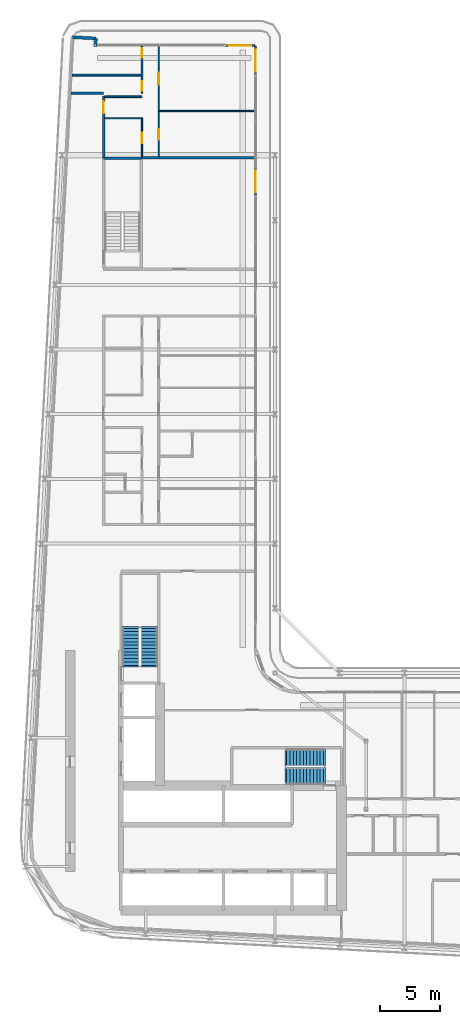
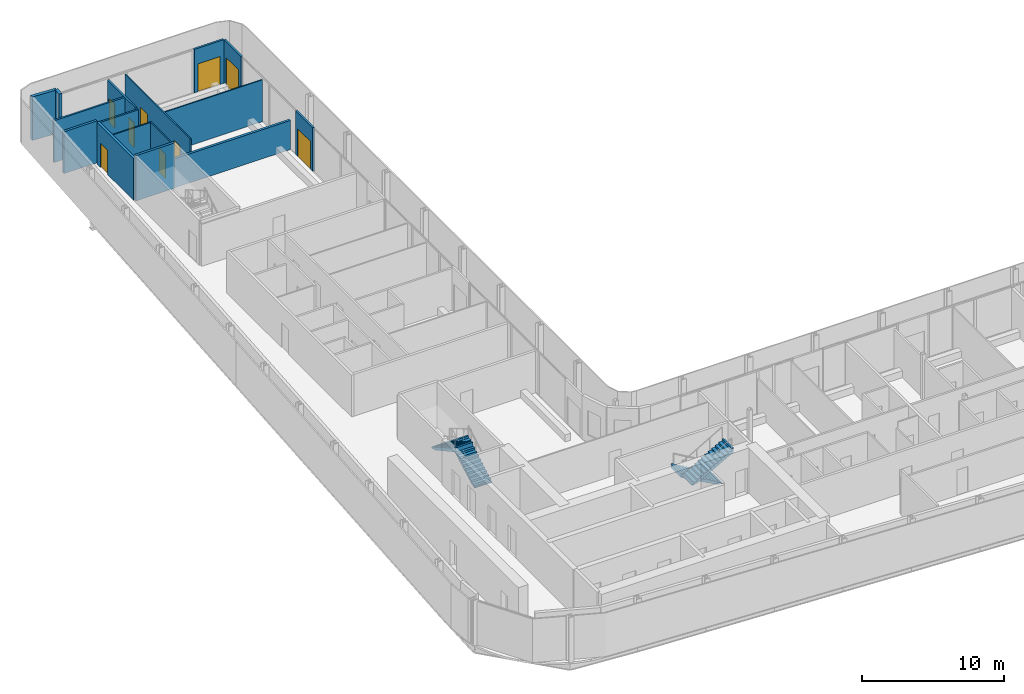
# One storey, part 20 of 28: 16 walls, 9 doors, 4 stair flights, 9 openings, 2 elements without a shape of their own.
"""IFC4 building model written with IfcOpenShell, lengths in metres."""

from ifc_helpers import new_model, si_unit, direction, frame, frame_2d, origin, place, context, subcontext, project, spatial, polyline, rectangle, outline, extrude, source, transform, mapped, material, layer, layer_set, type_object, element, fill, aggregate, save


model = new_model("IFC4")

# Units and contexts
model_context = context("Model", 3, precision=1e-05, world=origin(), true_north=direction((0.0, 1.0)))
body_context = subcontext(model_context, "Body", "Model", "MODEL_VIEW")
ifc_project = project(units=[si_unit("LENGTHUNIT", "METRE"), si_unit("AREAUNIT", "SQUARE_METRE"), si_unit("VOLUMEUNIT", "CUBIC_METRE"), si_unit("PLANEANGLEUNIT", "RADIAN"), si_unit("MASSUNIT", "GRAM", prefix="KILO")], contexts=[model_context])

# Site, building, storey
site_placement = place(None, origin())
site = spatial("IfcSite", under=ifc_project, at=site_placement, CompositionType="ELEMENT")
building_placement = place(site_placement, origin())
building = spatial("IfcBuilding", under=site, at=building_placement, Name="Kheshtan School and Residences Tower", CompositionType="ELEMENT")
storey_placement = place(building_placement, frame((0.0, 0.0, 187.699951171875)))
storey = spatial("IfcBuildingStorey", under=building, at=storey_placement, Name="L44", CompositionType="ELEMENT", Elevation=187.699951171875)

# Wall
ifc_material_1 = material(Name="Gypsum board on steel studs with fire boards", Category="steel")
ifc_layer_1 = layer(ifc_material_1, 0.199951171875)
ifc_layer_set_1 = layer_set([ifc_layer_1], Name="Corridor wall 200")
wall_type_1 = type_object("IfcWallType", Name="Corridor wall 200", PredefinedType="PARTITIONING", material=ifc_layer_set_1)
wall_1_placement = place(storey_placement, frame((30.584716796875, 94.0, 0.0), z_axis=(0.0, 0.0, 1.0), x_axis=(1.0, 0.0, 0.0)))
element("IfcWall", 1, at=wall_1_placement, inside=storey, type_object=wall_type_1, Name="Partition L44-002", PredefinedType="PARTITIONING", context=body_context, shape_type="SweptSolid", body=[
    extrude(rectangle(XDim=2.71533203125, YDim=0.199951171875, at=frame_2d((1.357666015625, 0.0))), origin(), (0.0, 0.0, 1.0), 3.60009765625),
])

# Wall, opening, door
wall_2_placement = place(storey_placement, frame((33.300048828125, 88.60009765625, 0.0), z_axis=(0.0, 0.0, 1.0), x_axis=(0.0, 1.0, 0.0)))
wall_2 = element("IfcWall", 2, at=wall_2_placement, inside=storey, type_object=wall_type_1, Name="Partition L44-005", PredefinedType="PARTITIONING", context=body_context, shape_type="SweptSolid", body=[
    extrude(rectangle(XDim=5.1748046875, YDim=0.199951171875, at=frame_2d((2.58740234375, 0.0))), origin(), (0.0, 0.0, 1.0), 3.60009765625),
])
opening_1_placement = place(wall_2_placement, frame((3.699951171875, 0.0, 0.0)))
opening_1 = element("IfcOpeningElement", 3, at=opening_1_placement, cuts=wall_2, Name="Opening D43-049", PredefinedType="OPENING", context=body_context, shape_type="SweptSolid", body=[
    extrude(rectangle(XDim=1.0, YDim=2.10009765625, at=frame_2d((0.5, 1.050048828125))), frame((0.0, 0.10986328125, 0.0), z_axis=(0.0, -1.0, 0.0), x_axis=(1.0, 0.0, 0.0)), (0.0, 0.0, 1.0), 0.219970703125),
])
ifc_material_2 = material(Name="Steel-framed fire-resisting door leaf", Category="steel")
door_type_1 = type_object("IfcDoorType", Name="Fire door FD30S 1000 x 2100", OperationType="SINGLE_SWING_LEFT", PredefinedType="DOOR", material=ifc_material_2)
shared_shape_1 = source(origin(), body_context, "Body", "SweptSolid", [
    extrude(rectangle(XDim=1.0, YDim=2.10009765625, at=frame_2d((0.5, 1.050048828125))), frame((0.0, 0.02490234375, 0.0), z_axis=(0.0, -1.0, 0.0), x_axis=(1.0, 0.0, 0.0)), (0.0, 0.0, 1.0), 0.050048828125),
])
door_1_placement = place(opening_1_placement, origin())
door_1 = element("IfcDoor", 4, at=door_1_placement, inside=storey, type_object=door_type_1, Name="Door D43-049", OperationType="SINGLE_SWING_RIGHT", OverallHeight=2.10009765625, OverallWidth=1.0, PredefinedType="DOOR", context=body_context, shape_type="MappedRepresentation", body=[
    mapped(shared_shape_1, transform((0.0, 0.0, 0.0), x_axis=(1.0, 0.0, 0.0), y_axis=(0.0, 1.0, 0.0), z_axis=(0.0, 0.0, 1.0), scale=1.0)),
])
fill(opening_1, door_1)

# Walls
ifc_material_3 = material(Name="Concrete C40/50 with ceramic cladding and mineral wool insulation", Category="concrete")
ifc_layer_2 = layer(ifc_material_3, 0.25)
ifc_layer_set_2 = layer_set([ifc_layer_2], Name="External wall 250 ceramic clad")
wall_type_2 = type_object("IfcWallType", Name="External wall 250 ceramic clad", PredefinedType="SOLIDWALL", material=ifc_layer_set_2)
wall_3_placement = place(storey_placement, frame((30.705078125, 98.6640625, 0.0), z_axis=(0.0, 0.0, 1.0), x_axis=(0.998577785791, -0.053314216913, 0.0)))
element("IfcWall", 5, at=wall_3_placement, inside=storey, type_object=wall_type_2, Name="External wall L44 5", PredefinedType="SOLIDWALL", context=body_context, shape_type="SweptSolid", body=[
    extrude(rectangle(XDim=1.95068359375, YDim=0.25, at=frame_2d((0.975341796875, 0.0))), origin(), (0.0, 0.0, 1.0), 3.75),
])
wall_4_placement = place(storey_placement, frame((32.653076171875, 98.56005859375, 0.0), z_axis=(0.0, 0.0, 1.0), x_axis=(-0.054093451632, -0.998535877418, 0.0)))
element("IfcWall", 6, at=wall_4_placement, inside=storey, type_object=wall_type_2, Name="External wall L44 6", PredefinedType="SOLIDWALL", context=body_context, shape_type="SweptSolid", body=[
    extrude(rectangle(XDim=0.66796875, YDim=0.25, at=frame_2d((0.333984375, 0.0))), origin(), (0.0, 0.0, 1.0), 3.75),
])

# Wall, opening, door
ifc_material_4 = material(Name="Aluminium frame wall with insulated infill", Category="aluminium")
ifc_layer_3 = layer(ifc_material_4, 0.14990234375)
ifc_layer_set_3 = layer_set([ifc_layer_3], Name="Glazing frame wall 150")
wall_type_3 = type_object("IfcWallType", Name="Glazing frame wall 150", PredefinedType="SOLIDWALL", material=ifc_layer_set_3)
wall_5_placement = place(storey_placement, frame((43.5, 97.97509765625, 0.0), z_axis=(0.0, 0.0, 1.0), x_axis=(1.0, 0.0, 0.0)))
wall_5 = element("IfcWall", 7, at=wall_5_placement, inside=storey, type_object=wall_type_3, Name="Balcony door wall L44 7.1", PredefinedType="SOLIDWALL", context=body_context, shape_type="SweptSolid", body=[
    extrude(rectangle(XDim=2.39990234375, YDim=0.14990234375, at=frame_2d((1.199951171875, 0.0))), origin(), (0.0, 0.0, 1.0), 3.75),
])
opening_2_placement = place(wall_5_placement, frame((0.300048828125, 0.0, 0.0)))
opening_2 = element("IfcOpeningElement", 8, at=opening_2_placement, cuts=wall_5, Name="Opening BD", PredefinedType="OPENING", context=body_context, shape_type="SweptSolid", body=[
    extrude(rectangle(XDim=1.800048828125, YDim=2.39990234375, at=frame_2d((0.89990234375, 1.199951171875))), frame((0.0, 0.0849609375, 0.0), z_axis=(0.0, -1.0, 0.0), x_axis=(1.0, 0.0, 0.0)), (0.0, 0.0, 1.0), 0.169921875),
])
ifc_material_5 = material(Name="Clear low-e glass in thermally broken aluminium frame", Category="aluminium")
door_type_2 = type_object("IfcDoorType", Name="Balcony sliding door", OperationType="SLIDING_TO_LEFT", PredefinedType="DOOR", material=ifc_material_5)
shared_shape_2 = source(origin(), body_context, "Body", "SweptSolid", [
    extrude(rectangle(XDim=1.800048828125, YDim=2.39990234375, at=frame_2d((0.89990234375, 1.199951171875))), frame((0.0, 0.02490234375, 0.0), z_axis=(0.0, -1.0, 0.0), x_axis=(1.0, 0.0, 0.0)), (0.0, 0.0, 1.0), 0.050048828125),
])
door_2_placement = place(opening_2_placement, origin())
door_2 = element("IfcDoor", 9, at=door_2_placement, inside=storey, type_object=door_type_2, Name="Balcony door L44 7.1", OperationType="SLIDING_TO_LEFT", OverallHeight=2.39990234375, OverallWidth=1.800048828125, PredefinedType="DOOR", context=body_context, shape_type="MappedRepresentation", body=[
    mapped(shared_shape_2, transform((0.0, 0.0, 0.0), x_axis=(1.0, 0.0, 0.0), y_axis=(0.0, 1.0, 0.0), z_axis=(0.0, 0.0, 1.0), scale=1.0)),
])
fill(opening_2, door_2)

wall_6_placement = place(storey_placement, frame((45.97509765625, 97.89990234375, 0.0), z_axis=(0.0, 0.0, 1.0), x_axis=(0.0, -1.0, 0.0)))
wall_6 = element("IfcWall", 10, at=wall_6_placement, inside=storey, type_object=wall_type_3, Name="Balcony door wall L44 8.1", PredefinedType="SOLIDWALL", context=body_context, shape_type="SweptSolid", body=[
    extrude(rectangle(XDim=2.39990234375, YDim=0.14990234375, at=frame_2d((1.199951171875, 0.0))), origin(), (0.0, 0.0, 1.0), 3.75),
])
opening_3_placement = place(wall_6_placement, frame((0.300048828125, 0.0, 0.0)))
opening_3 = element("IfcOpeningElement", 11, at=opening_3_placement, cuts=wall_6, Name="Opening BD", PredefinedType="OPENING", context=body_context, shape_type="SweptSolid", body=[
    extrude(rectangle(XDim=1.800048828125, YDim=2.39990234375, at=frame_2d((0.89990234375, 1.199951171875))), frame((0.0, 0.0849609375, 0.0), z_axis=(0.0, -1.0, 0.0), x_axis=(1.0, 0.0, 0.0)), (0.0, 0.0, 1.0), 0.169921875),
])
door_3_placement = place(opening_3_placement, origin())
door_3 = element("IfcDoor", 12, at=door_3_placement, inside=storey, type_object=door_type_2, Name="Balcony door L44 8.1", OperationType="SLIDING_TO_LEFT", OverallHeight=2.39990234375, OverallWidth=1.800048828125, PredefinedType="DOOR", context=body_context, shape_type="MappedRepresentation", body=[
    mapped(shared_shape_2, transform((0.0, 0.0, 0.0), x_axis=(1.0, 0.0, 0.0), y_axis=(0.0, 1.0, 0.0), z_axis=(0.0, 0.0, 1.0), scale=1.0)),
])
fill(opening_3, door_3)

wall_7_placement = place(storey_placement, frame((45.97509765625, 87.805908203125, 0.0), z_axis=(0.0, 0.0, 1.0), x_axis=(0.0, -1.0, 0.0)))
wall_7 = element("IfcWall", 13, at=wall_7_placement, inside=storey, type_object=wall_type_3, Name="Balcony door wall L44 8.2", PredefinedType="SOLIDWALL", context=body_context, shape_type="SweptSolid", body=[
    extrude(rectangle(XDim=2.39990234375, YDim=0.14990234375, at=frame_2d((1.199951171875, 0.0))), origin(), (0.0, 0.0, 1.0), 3.75),
])
opening_4_placement = place(wall_7_placement, frame((0.300048828125, 0.0, 0.0)))
opening_4 = element("IfcOpeningElement", 14, at=opening_4_placement, cuts=wall_7, Name="Opening BD", PredefinedType="OPENING", context=body_context, shape_type="SweptSolid", body=[
    extrude(rectangle(XDim=1.800048828125, YDim=2.39990234375, at=frame_2d((0.89990234375, 1.199951171875))), frame((0.0, 0.0849609375, 0.0), z_axis=(0.0, -1.0, 0.0), x_axis=(1.0, 0.0, 0.0)), (0.0, 0.0, 1.0), 0.169921875),
])
door_4_placement = place(opening_4_placement, origin())
door_4 = element("IfcDoor", 15, at=door_4_placement, inside=storey, type_object=door_type_2, Name="Balcony door L44 8.2", OperationType="SLIDING_TO_LEFT", OverallHeight=2.39990234375, OverallWidth=1.800048828125, PredefinedType="DOOR", context=body_context, shape_type="MappedRepresentation", body=[
    mapped(shared_shape_2, transform((0.0, 0.0, 0.0), x_axis=(1.0, 0.0, 0.0), y_axis=(0.0, 1.0, 0.0), z_axis=(0.0, 0.0, 1.0), scale=1.0)),
])
fill(opening_4, door_4)

# Wall
ifc_material_6 = material(Name="Gypsum board on steel studs", Category="steel")
ifc_layer_4 = layer(ifc_material_6, 0.10009765625)
ifc_layer_set_4 = layer_set([ifc_layer_4], Name="Gypsum partition 100")
wall_type_4 = type_object("IfcWallType", Name="Gypsum partition 100", PredefinedType="PARTITIONING", material=ifc_layer_set_4)
wall_8_placement = place(storey_placement, frame((33.39990234375, 91.89990234375, 0.0), z_axis=(0.0, 0.0, 1.0), x_axis=(1.0, 0.0, 0.0)))
element("IfcWall", 16, at=wall_8_placement, inside=storey, type_object=wall_type_4, Name="Partition L44-014", PredefinedType="PARTITIONING", context=body_context, shape_type="SweptSolid", body=[
    extrude(rectangle(XDim=3.050048828125, YDim=0.10009765625, at=frame_2d((1.52490234375, 0.0))), origin(), (0.0, 0.0, 1.0), 3.60009765625),
])

# Wall, opening, door
wall_9_placement = place(storey_placement, frame((36.5, 88.699951171875, 0.0), z_axis=(0.0, 0.0, 1.0), x_axis=(0.0, 1.0, 0.0)))
wall_9 = element("IfcWall", 17, at=wall_9_placement, inside=storey, type_object=wall_type_4, Name="Partition L44-021", PredefinedType="PARTITIONING", context=body_context, shape_type="SweptSolid", body=[
    extrude(rectangle(XDim=3.25, YDim=0.10009765625, at=frame_2d((1.625, 0.0))), origin(), (0.0, 0.0, 1.0), 3.60009765625),
])
opening_5_placement = place(wall_9_placement, frame((1.10009765625, 0.0, 0.0)))
opening_5 = element("IfcOpeningElement", 18, at=opening_5_placement, cuts=wall_9, Name="Opening D43-050", PredefinedType="OPENING", context=body_context, shape_type="SweptSolid", body=[
    extrude(rectangle(XDim=0.89990234375, YDim=2.10009765625, at=frame_2d((0.449951171875, 1.050048828125))), frame((0.0, 0.06005859375, 0.0), z_axis=(0.0, -1.0, 0.0), x_axis=(1.0, 0.0, 0.0)), (0.0, 0.0, 1.0), 0.1201171875),
])
ifc_material_7 = material(Name="Veneered timber door leaf", Category="wood")
door_type_3 = type_object("IfcDoorType", Name="Door 900 x 2100", OperationType="SINGLE_SWING_LEFT", PredefinedType="DOOR", material=ifc_material_7)
shared_shape_3 = source(origin(), body_context, "Body", "SweptSolid", [
    extrude(rectangle(XDim=0.89990234375, YDim=2.10009765625, at=frame_2d((0.449951171875, 1.050048828125))), frame((0.0, 0.02490234375, 0.0), z_axis=(0.0, -1.0, 0.0), x_axis=(1.0, 0.0, 0.0)), (0.0, 0.0, 1.0), 0.050048828125),
])
door_5_placement = place(opening_5_placement, origin())
door_5 = element("IfcDoor", 19, at=door_5_placement, inside=storey, type_object=door_type_3, Name="Door D43-050", OperationType="SINGLE_SWING_LEFT", OverallHeight=2.10009765625, OverallWidth=0.89990234375, PredefinedType="DOOR", context=body_context, shape_type="MappedRepresentation", body=[
    mapped(shared_shape_3, transform((0.0, 0.0, 0.0), x_axis=(1.0, 0.0, 0.0), y_axis=(0.0, 1.0, 0.0), z_axis=(0.0, 0.0, 1.0), scale=1.0)),
])
fill(opening_5, door_5)

# Wall, openings, doors
wall_10_placement = place(storey_placement, frame((37.89990234375, 88.699951171875, 0.0), z_axis=(0.0, 0.0, 1.0), x_axis=(0.0, 1.0, 0.0)))
wall_10 = element("IfcWall", 20, at=wall_10_placement, inside=storey, type_object=wall_type_4, Name="Partition L44-024", PredefinedType="PARTITIONING", context=body_context, shape_type="SweptSolid", body=[
    extrude(rectangle(XDim=9.199951171875, YDim=0.10009765625, at=frame_2d((4.60009765625, 0.0))), origin(), (0.0, 0.0, 1.0), 3.60009765625),
])
opening_6_placement = place(wall_10_placement, frame((1.39990234375, 0.0, 0.0)))
opening_6 = element("IfcOpeningElement", 21, at=opening_6_placement, cuts=wall_10, Name="Opening D43-048", PredefinedType="OPENING", context=body_context, shape_type="SweptSolid", body=[
    extrude(rectangle(XDim=0.89990234375, YDim=2.10009765625, at=frame_2d((0.449951171875, 1.050048828125))), frame((0.0, 0.06005859375, 0.0), z_axis=(0.0, -1.0, 0.0), x_axis=(1.0, 0.0, 0.0)), (0.0, 0.0, 1.0), 0.1201171875),
])
opening_7_placement = place(wall_10_placement, frame((6.0, 0.0, 0.0)))
opening_7 = element("IfcOpeningElement", 22, at=opening_7_placement, cuts=wall_10, Name="Opening D43-051", PredefinedType="OPENING", context=body_context, shape_type="SweptSolid", body=[
    extrude(rectangle(XDim=1.0, YDim=2.10009765625, at=frame_2d((0.5, 1.050048828125))), frame((0.0, 0.06005859375, 0.0), z_axis=(0.0, -1.0, 0.0), x_axis=(1.0, 0.0, 0.0)), (0.0, 0.0, 1.0), 0.1201171875),
])
door_type_4 = type_object("IfcDoorType", Name="Door 1000 x 2100", OperationType="SINGLE_SWING_LEFT", PredefinedType="DOOR", material=ifc_material_7)
shared_shape_4 = source(origin(), body_context, "Body", "SweptSolid", [
    extrude(rectangle(XDim=1.0, YDim=2.10009765625, at=frame_2d((0.5, 1.050048828125))), frame((0.0, 0.02490234375, 0.0), z_axis=(0.0, -1.0, 0.0), x_axis=(1.0, 0.0, 0.0)), (0.0, 0.0, 1.0), 0.050048828125),
])
door_6_placement = place(opening_7_placement, origin())
door_6 = element("IfcDoor", 23, at=door_6_placement, inside=storey, type_object=door_type_4, Name="Door D43-051", OperationType="SINGLE_SWING_RIGHT", OverallHeight=2.10009765625, OverallWidth=1.0, PredefinedType="DOOR", context=body_context, shape_type="MappedRepresentation", body=[
    mapped(shared_shape_4, transform((0.0, 0.0, 0.0), x_axis=(1.0, 0.0, 0.0), y_axis=(0.0, 1.0, 0.0), z_axis=(0.0, 0.0, 1.0), scale=1.0)),
])
fill(opening_7, door_6)
door_7_placement = place(opening_6_placement, origin())
door_7 = element("IfcDoor", 24, at=door_7_placement, inside=storey, type_object=door_type_3, Name="Door D43-048", OperationType="SINGLE_SWING_LEFT", OverallHeight=2.10009765625, OverallWidth=0.89990234375, PredefinedType="DOOR", context=body_context, shape_type="MappedRepresentation", body=[
    mapped(shared_shape_3, transform((0.0, 0.0, 0.0), x_axis=(1.0, 0.0, 0.0), y_axis=(0.0, 1.0, 0.0), z_axis=(0.0, 0.0, 1.0), scale=1.0)),
])
fill(opening_6, door_7)

# Walls
wall_11_placement = place(storey_placement, frame((37.949951171875, 92.5, 0.0), z_axis=(0.0, 0.0, 1.0), x_axis=(1.0, 0.0, 0.0)))
element("IfcWall", 25, at=wall_11_placement, inside=storey, type_object=wall_type_4, Name="Partition L44-025", PredefinedType="PARTITIONING", context=body_context, shape_type="SweptSolid", body=[
    extrude(rectangle(XDim=7.949951171875, YDim=0.10009765625, at=frame_2d((3.97509765625, 0.0))), origin(), (0.0, 0.0, 1.0), 3.60009765625),
])
ifc_material_8 = material(Name="Concrete C40/50", Category="concrete")
ifc_layer_5 = layer(ifc_material_8, 0.199951171875)
ifc_layer_set_5 = layer_set([ifc_layer_5], Name="Stair enclosure wall 200 Concrete C40/50")
wall_type_5 = type_object("IfcWallType", Name="Stair enclosure wall 200 Concrete C40/50", PredefinedType="SHEAR", material=ifc_layer_set_5)
wall_12_placement = place(storey_placement, frame((33.300048828125, 88.56005859375, 0.0), z_axis=(0.0, 0.0, 1.0), x_axis=(1.0, 0.0, 0.0)))
element("IfcWall", 26, at=wall_12_placement, inside=storey, type_object=wall_type_5, Name="Stair enclosure wall ST3", PredefinedType="SHEAR", context=body_context, shape_type="SweptSolid", body=[
    extrude(rectangle(XDim=3.14990234375, YDim=0.199951171875, at=frame_2d((1.574951171875, 0.0))), origin(), (0.0, 0.0, 1.0), 3.900146484375),
])
ifc_material_9 = material(Name="Twin gypsum board on steel studs with mineral wool", Category="steel")
ifc_layer_6 = layer(ifc_material_9, 0.199951171875)
ifc_layer_set_6 = layer_set([ifc_layer_6], Name="Unit demising wall 200")
wall_type_6 = type_object("IfcWallType", Name="Unit demising wall 200", PredefinedType="PARTITIONING", material=ifc_layer_set_6)
wall_13_placement = place(storey_placement, frame((36.449951171875, 88.60009765625, 0.0), z_axis=(0.0, 0.0, 1.0), x_axis=(1.0, 0.0, 0.0)))
element("IfcWall", 27, at=wall_13_placement, inside=storey, type_object=wall_type_6, Name="Partition L44-018", PredefinedType="PARTITIONING", context=body_context, shape_type="SweptSolid", body=[
    extrude(rectangle(XDim=9.449951171875, YDim=0.199951171875, at=frame_2d((4.72509765625, 0.0))), origin(), (0.0, 0.0, 1.0), 2.5),
])
ifc_material_10 = material(Name="Moisture-resistant gypsum board on steel studs", Category="steel")
ifc_layer_7 = layer(ifc_material_10, 0.14990234375)
ifc_layer_set_7 = layer_set([ifc_layer_7], Name="Wet-room partition 150")
wall_type_7 = type_object("IfcWallType", Name="Wet-room partition 150", PredefinedType="PARTITIONING", material=ifc_layer_set_7)
wall_14_placement = place(storey_placement, frame((30.6640625, 95.5, 0.0), z_axis=(0.0, 0.0, 1.0), x_axis=(1.0, 0.0, 0.0)))
element("IfcWall", 28, at=wall_14_placement, inside=storey, type_object=wall_type_7, Name="Partition L44-001", PredefinedType="PARTITIONING", context=body_context, shape_type="SweptSolid", body=[
    extrude(rectangle(XDim=5.760986328125, YDim=0.14990234375, at=frame_2d((2.88037109375, 0.0))), origin(), (0.0, 0.0, 1.0), 3.60009765625),
])
wall_15_placement = place(storey_placement, frame((33.39990234375, 93.699951171875, 0.0), z_axis=(0.0, 0.0, 1.0), x_axis=(1.0, 0.0, 0.0)))
element("IfcWall", 29, at=wall_15_placement, inside=storey, type_object=wall_type_7, Name="Partition L44-015", PredefinedType="PARTITIONING", context=body_context, shape_type="SweptSolid", body=[
    extrude(rectangle(XDim=3.10009765625, YDim=0.14990234375, at=frame_2d((1.550048828125, 0.0))), origin(), (0.0, 0.0, 1.0), 3.60009765625),
])

# Wall, openings, doors
wall_16_placement = place(storey_placement, frame((36.5, 94.0, 0.0), z_axis=(0.0, 0.0, 1.0), x_axis=(0.0, 1.0, 0.0)))
wall_16 = element("IfcWall", 30, at=wall_16_placement, inside=storey, type_object=wall_type_7, Name="Partition L44-022", PredefinedType="PARTITIONING", context=body_context, shape_type="SweptSolid", body=[
    extrude(rectangle(XDim=3.89990234375, YDim=0.14990234375, at=frame_2d((1.949951171875, 0.0))), origin(), (0.0, 0.0, 1.0), 3.60009765625),
])
opening_8_placement = place(wall_16_placement, frame((2.949951171875, 0.0, 0.0)))
opening_8 = element("IfcOpeningElement", 31, at=opening_8_placement, cuts=wall_16, Name="Opening D43-047", PredefinedType="OPENING", context=body_context, shape_type="SweptSolid", body=[
    extrude(rectangle(XDim=0.800048828125, YDim=2.10009765625, at=frame_2d((0.39990234375, 1.050048828125))), frame((0.0, 0.0849609375, 0.0), z_axis=(0.0, -1.0, 0.0), x_axis=(1.0, 0.0, 0.0)), (0.0, 0.0, 1.0), 0.169921875),
])
opening_9_placement = place(wall_16_placement, frame((0.199951171875, 0.0, 0.0)))
opening_9 = element("IfcOpeningElement", 32, at=opening_9_placement, cuts=wall_16, Name="Opening D43-052", PredefinedType="OPENING", context=body_context, shape_type="SweptSolid", body=[
    extrude(rectangle(XDim=0.800048828125, YDim=2.10009765625, at=frame_2d((0.39990234375, 1.050048828125))), frame((0.0, 0.0849609375, 0.0), z_axis=(0.0, -1.0, 0.0), x_axis=(1.0, 0.0, 0.0)), (0.0, 0.0, 1.0), 0.169921875),
])
door_type_5 = type_object("IfcDoorType", Name="Door 800 x 2100", OperationType="SINGLE_SWING_LEFT", PredefinedType="DOOR", material=ifc_material_7)
shared_shape_5 = source(origin(), body_context, "Body", "SweptSolid", [
    extrude(rectangle(XDim=0.800048828125, YDim=2.10009765625, at=frame_2d((0.39990234375, 1.050048828125))), frame((0.0, 0.02490234375, 0.0), z_axis=(0.0, -1.0, 0.0), x_axis=(1.0, 0.0, 0.0)), (0.0, 0.0, 1.0), 0.050048828125),
])
door_8_placement = place(opening_8_placement, origin())
door_8 = element("IfcDoor", 33, at=door_8_placement, inside=storey, type_object=door_type_5, Name="Door D43-047", OperationType="SINGLE_SWING_LEFT", OverallHeight=2.10009765625, OverallWidth=0.800048828125, PredefinedType="DOOR", context=body_context, shape_type="MappedRepresentation", body=[
    mapped(shared_shape_5, transform((0.0, 0.0, 0.0), x_axis=(1.0, 0.0, 0.0), y_axis=(0.0, 1.0, 0.0), z_axis=(0.0, 0.0, 1.0), scale=1.0)),
])
fill(opening_8, door_8)
door_9_placement = place(opening_9_placement, origin())
door_9 = element("IfcDoor", 34, at=door_9_placement, inside=storey, type_object=door_type_5, Name="Door D43-052", OperationType="SINGLE_SWING_RIGHT", OverallHeight=2.10009765625, OverallWidth=0.800048828125, PredefinedType="DOOR", context=body_context, shape_type="MappedRepresentation", body=[
    mapped(shared_shape_5, transform((0.0, 0.0, 0.0), x_axis=(1.0, 0.0, 0.0), y_axis=(0.0, 1.0, 0.0), z_axis=(0.0, 0.0, 1.0), scale=1.0)),
])
fill(opening_9, door_9)

# Stair, stair flights
stair_type = type_object("IfcStairType", Name="Exit stair, half-turn", PredefinedType="HALF_TURN_STAIR", material=ifc_material_8)
stair_1_placement = place(storey_placement, origin())
stair_1 = element("IfcStair", 35, at=stair_1_placement, inside=storey, type_object=stair_type, Name="L44 Protected Exit Stair ST1", PredefinedType="HALF_TURN_STAIR")
ifc_layer_8 = layer(ifc_material_8, 0.14990234375)
ifc_layer_set_8 = layer_set([ifc_layer_8], Name="Stair flight 1400 Concrete C40/50")
stair_flight_type = type_object("IfcStairFlightType", Name="Stair flight 1400 Concrete C40/50", PredefinedType="STRAIGHT", material=ifc_layer_set_8)
stair_flight_1_placement = place(storey_placement, frame((51.64990234375, 38.550048828125, 0.0), z_axis=(0.0, 0.0, 1.0), x_axis=(-1.0, 0.0, 0.0)))
stair_flight_1 = element("IfcStairFlight", 36, at=stair_flight_1_placement, type_object=stair_flight_type, Name="ST1 flight 1", NumberOfRisers=12, NumberOfTreads=11, PredefinedType="STRAIGHT", RiserHeight=0.1625, TreadLength=0.28, context=body_context, shape_type="SweptSolid", body=[
    extrude(outline(polyline([(-0.14990234375, -0.10009765625), (-0.14990234375, 0.0), (0.0, 0.0), (0.0, 0.16259765625), (0.280029296875, 0.16259765625), (0.280029296875, 0.324951171875), (0.56005859375, 0.324951171875), (0.56005859375, 0.487548828125), (0.840087890625, 0.487548828125), (0.840087890625, 0.64990234375), (1.1201171875, 0.64990234375), (1.1201171875, 0.8125), (1.39990234375, 0.8125), (1.39990234375, 0.97509765625), (1.679931640625, 0.97509765625), (1.679931640625, 1.137451171875), (1.9599609375, 1.137451171875), (1.9599609375, 1.300048828125), (2.239990234375, 1.300048828125), (2.239990234375, 1.46240234375), (2.52001953125, 1.46240234375), (2.52001953125, 1.625), (2.800048828125, 1.625), (2.800048828125, 1.78759765625), (3.080078125, 1.78759765625), (3.080078125, 1.949951171875), (3.080078125, 1.969970703125), (3.22998046875, 1.969970703125), (3.22998046875, 1.6142578125), (0.298583984375, 0.0), (-0.14990234375, -0.10009765625)])), frame((0.0, 0.699951171875, 0.0), z_axis=(0.0, -1.0, 0.0), x_axis=(1.0, 0.0, 0.0)), (0.0, 0.0, 1.0), 1.39990234375),
])
stair_flight_2_placement = place(storey_placement, frame((48.570068359375, 37.0, 1.949951171875), z_axis=(0.0, 0.0, 1.0), x_axis=(1.0, 0.0, 0.0)))
stair_flight_2 = element("IfcStairFlight", 37, at=stair_flight_2_placement, type_object=stair_flight_type, Name="ST1 flight 2", NumberOfRisers=12, NumberOfTreads=11, PredefinedType="STRAIGHT", RiserHeight=0.1625, TreadLength=0.28, context=body_context, shape_type="SweptSolid", body=[
    extrude(outline(polyline([(-0.14990234375, -0.10009765625), (-0.14990234375, 0.0), (0.0, 0.0), (0.0, 0.16259765625), (0.280029296875, 0.16259765625), (0.280029296875, 0.324951171875), (0.56005859375, 0.324951171875), (0.56005859375, 0.487548828125), (0.840087890625, 0.487548828125), (0.840087890625, 0.64990234375), (1.1201171875, 0.64990234375), (1.1201171875, 0.8125), (1.39990234375, 0.8125), (1.39990234375, 0.97509765625), (1.679931640625, 0.97509765625), (1.679931640625, 1.137451171875), (1.9599609375, 1.137451171875), (1.9599609375, 1.300048828125), (2.239990234375, 1.300048828125), (2.239990234375, 1.46240234375), (2.52001953125, 1.46240234375), (2.52001953125, 1.625), (2.800048828125, 1.625), (2.800048828125, 1.78759765625), (3.080078125, 1.78759765625), (3.080078125, 1.949951171875), (3.080078125, 1.969970703125), (3.22998046875, 1.969970703125), (3.22998046875, 1.6142578125), (0.298583984375, 0.0), (-0.14990234375, -0.10009765625)])), frame((0.0, 0.699951171875, 0.0), z_axis=(0.0, -1.0, 0.0), x_axis=(1.0, 0.0, 0.0)), (0.0, 0.0, 1.0), 1.39990234375),
])
aggregate(stair_1, [stair_flight_1, stair_flight_2])

stair_2_placement = place(storey_placement, origin())
stair_2 = element("IfcStair", 38, at=stair_2_placement, inside=storey, type_object=stair_type, Name="L44 Protected Exit Stair ST2", PredefinedType="HALF_TURN_STAIR")
stair_flight_3_placement = place(storey_placement, frame((37.10009765625, 46.25, 0.0), z_axis=(0.0, 0.0, 1.0), x_axis=(0.0, 1.0, 0.0)))
stair_flight_3 = element("IfcStairFlight", 39, at=stair_flight_3_placement, type_object=stair_flight_type, Name="ST2 flight 1", NumberOfRisers=12, NumberOfTreads=11, PredefinedType="STRAIGHT", RiserHeight=0.1625, TreadLength=0.28, context=body_context, shape_type="SweptSolid", body=[
    extrude(outline(polyline([(-0.14990234375, -0.10009765625), (-0.14990234375, 0.0), (0.0, 0.0), (0.0, 0.16259765625), (0.280029296875, 0.16259765625), (0.280029296875, 0.324951171875), (0.56005859375, 0.324951171875), (0.56005859375, 0.487548828125), (0.840087890625, 0.487548828125), (0.840087890625, 0.64990234375), (1.1201171875, 0.64990234375), (1.1201171875, 0.8125), (1.39990234375, 0.8125), (1.39990234375, 0.97509765625), (1.679931640625, 0.97509765625), (1.679931640625, 1.137451171875), (1.9599609375, 1.137451171875), (1.9599609375, 1.300048828125), (2.239990234375, 1.300048828125), (2.239990234375, 1.46240234375), (2.52001953125, 1.46240234375), (2.52001953125, 1.625), (2.800048828125, 1.625), (2.800048828125, 1.78759765625), (3.080078125, 1.78759765625), (3.080078125, 1.949951171875), (3.080078125, 1.969970703125), (3.22998046875, 1.969970703125), (3.22998046875, 1.6142578125), (0.298583984375, 0.0), (-0.14990234375, -0.10009765625)])), frame((0.0, 0.699951171875, 0.0), z_axis=(0.0, -1.0, 0.0), x_axis=(1.0, 0.0, 0.0)), (0.0, 0.0, 1.0), 1.39990234375),
])
stair_flight_4_placement = place(storey_placement, frame((35.550048828125, 49.330078125, 1.949951171875), z_axis=(0.0, 0.0, 1.0), x_axis=(0.0, -1.0, 0.0)))
stair_flight_4 = element("IfcStairFlight", 40, at=stair_flight_4_placement, type_object=stair_flight_type, Name="ST2 flight 2", NumberOfRisers=12, NumberOfTreads=11, PredefinedType="STRAIGHT", RiserHeight=0.1625, TreadLength=0.28, context=body_context, shape_type="SweptSolid", body=[
    extrude(outline(polyline([(-0.14990234375, -0.10009765625), (-0.14990234375, 0.0), (0.0, 0.0), (0.0, 0.16259765625), (0.280029296875, 0.16259765625), (0.280029296875, 0.324951171875), (0.56005859375, 0.324951171875), (0.56005859375, 0.487548828125), (0.840087890625, 0.487548828125), (0.840087890625, 0.64990234375), (1.1201171875, 0.64990234375), (1.1201171875, 0.8125), (1.39990234375, 0.8125), (1.39990234375, 0.97509765625), (1.679931640625, 0.97509765625), (1.679931640625, 1.137451171875), (1.9599609375, 1.137451171875), (1.9599609375, 1.300048828125), (2.239990234375, 1.300048828125), (2.239990234375, 1.46240234375), (2.52001953125, 1.46240234375), (2.52001953125, 1.625), (2.800048828125, 1.625), (2.800048828125, 1.78759765625), (3.080078125, 1.78759765625), (3.080078125, 1.949951171875), (3.080078125, 1.969970703125), (3.22998046875, 1.969970703125), (3.22998046875, 1.6142578125), (0.298583984375, 0.0), (-0.14990234375, -0.10009765625)])), frame((0.0, 0.699951171875, 0.0), z_axis=(0.0, -1.0, 0.0), x_axis=(1.0, 0.0, 0.0)), (0.0, 0.0, 1.0), 1.39990234375),
])
aggregate(stair_2, [stair_flight_3, stair_flight_4])

save(model, "model.ifc")
